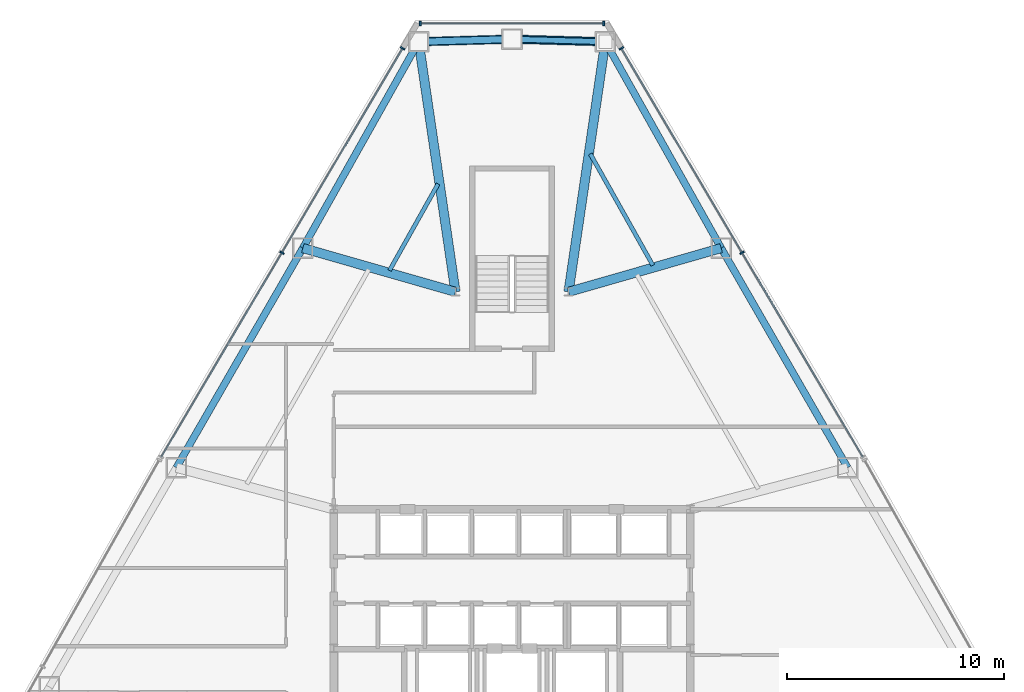
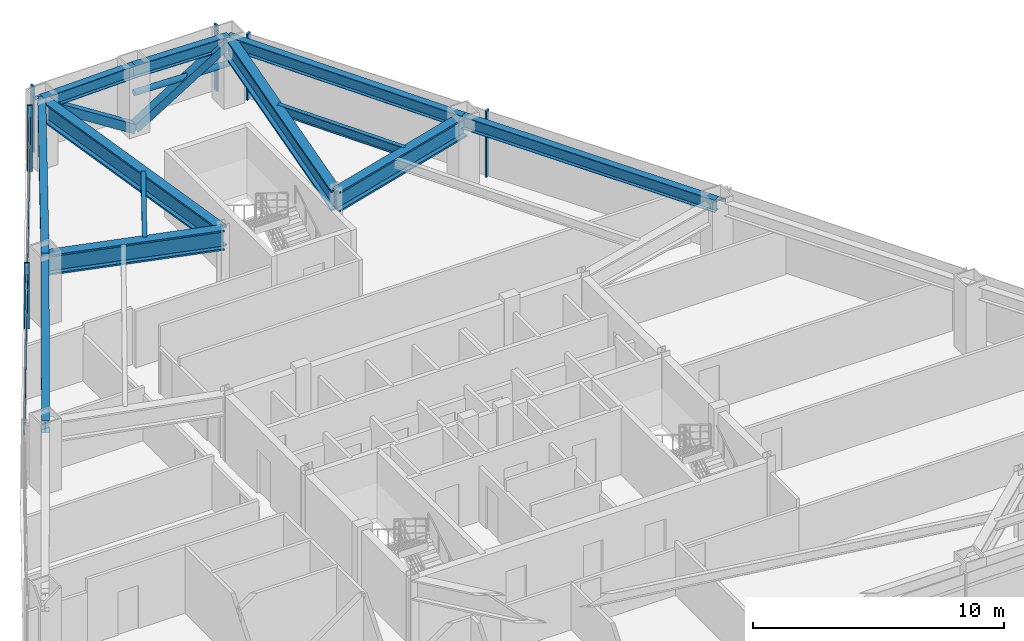
# One storey, part 8 of 13: 12 beams, 12 members, 3 elements without a shape of their own.
"""IFC4 building model written with IfcOpenShell, lengths in metres."""

from ifc_helpers import new_model, si_unit, direction, frame, origin, origin_2d, place, context, subcontext, project, spatial, rectangle, hollow_rectangle, hollow_circle, i_section, extrude, source, transform, mapped, material, layer, layer_set, material_profile, profile_set, type_object, type_shapes, element, aggregate, save


model = new_model("IFC4")

# Units and contexts
model_context = context("Model", 3, precision=1e-05, world=origin(), true_north=direction((0.0, 1.0)))
body_context = subcontext(model_context, "Body", "Model", "MODEL_VIEW")
ifc_project = project(units=[si_unit("LENGTHUNIT", "METRE"), si_unit("AREAUNIT", "SQUARE_METRE"), si_unit("VOLUMEUNIT", "CUBIC_METRE"), si_unit("PLANEANGLEUNIT", "RADIAN"), si_unit("MASSUNIT", "GRAM", prefix="KILO")], contexts=[model_context])

# Site, building, storey
site_placement = place(None, origin())
site = spatial("IfcSite", under=ifc_project, at=site_placement, CompositionType="ELEMENT")
building_placement = place(site_placement, origin())
building = spatial("IfcBuilding", under=site, at=building_placement, Name="Varakhsha Concourse Tower", CompositionType="ELEMENT")
storey_placement = place(building_placement, frame((0.0, 0.0, 116.0)))
storey = spatial("IfcBuildingStorey", under=building, at=storey_placement, Name="L33", CompositionType="ELEMENT", Elevation=116.0)

# Beams
ifc_material_1 = material(Name="Structural Steel ASTM A992 Grade 50", Category="steel")
ifc_material_profile_1 = material_profile(ifc_material_1, i_section(OverallWidth=0.19091796875, OverallDepth=0.45703125, WebThickness=0.009033203125, FlangeThickness=0.013916015625, at=origin_2d()), Name="W18X50")
ifc_profile_set_1 = profile_set([ifc_material_profile_1], Name="Structural Steel ASTM A992 Grade 50")
beam_type_1 = type_object("IfcBeamType", Name="BM-JST-W18X50", PredefinedType="JOIST", material=ifc_profile_set_1)
beam_1_placement = place(storey_placement, frame((36.6015625, 46.166015625, 2.9814453125), z_axis=(-0.489616725191, -0.871937762924, 0.0), x_axis=(0.871937762924, -0.489616725191, 0.0)))
element("IfcBeam", 1, at=beam_1_placement, inside=storey, type_object=beam_type_1, Name="BM-TJST-L33-03", PredefinedType="JOIST", context=body_context, shape_type="SweptSolid", body=[
    extrude(i_section(OverallWidth=0.19091796875, OverallDepth=0.45703125, WebThickness=0.009033203125, FlangeThickness=0.013916015625, at=origin_2d()), origin(), (0.0, 0.0, 1.0), 4.569091796875),
])
beam_2_placement = place(storey_placement, frame((46.477783203125, 42.423828125, 2.9814453125), z_axis=(-0.489617906251, 0.871937099726, 0.0), x_axis=(-0.871937099726, -0.489617906251, 0.0)))
element("IfcBeam", 2, at=beam_2_placement, inside=storey, type_object=beam_type_1, Name="BM-TJST-L33-18", PredefinedType="JOIST", context=body_context, shape_type="SweptSolid", body=[
    extrude(i_section(OverallWidth=0.19091796875, OverallDepth=0.45703125, WebThickness=0.009033203125, FlangeThickness=0.013916015625, at=origin_2d()), origin(), (0.0, 0.0, 1.0), 5.875),
])
ifc_material_profile_2 = material_profile(ifc_material_1, i_section(OverallWidth=0.323974609375, OverallDepth=0.611083984375, WebThickness=0.012939453125, FlangeThickness=0.01904296875, at=origin_2d()), Name="W24X104")
ifc_profile_set_2 = profile_set([ifc_material_profile_2], Name="Structural Steel ASTM A992 Grade 50")
beam_type_2 = type_object("IfcBeamType", Name="BM-SPAN-W24X104", PredefinedType="SPANDREL", material=ifc_profile_set_2)
for number, where, z_axis, x_axis, name in (
    (3, (44.2919921875, 52.7041015625, 2.904541015625), (-0.99960542546, 0.028089026176, 0.0), (-0.028089026176, -0.99960542546, 0.0), "BM-SPAN-L33-01"),
    (4, (40.0, 52.82470703125, 2.904541015625), (-0.99960542546, -0.028089026176, 0.0), (0.028089026176, -0.99960542546, 0.0), "BM-SPAN-L33-02"),
):
    element("IfcBeam", number, at=place(storey_placement, frame(where, z_axis=z_axis, x_axis=x_axis)), inside=storey, type_object=beam_type_2, Name=name, PredefinedType="SPANDREL", context=body_context, shape_type="SweptSolid", body=[
        extrude(i_section(OverallWidth=0.323974609375, OverallDepth=0.611083984375, WebThickness=0.012939453125, FlangeThickness=0.01904296875, at=origin_2d()), origin(), (0.0, 0.0, 1.0), 4.293701171875),
    ])
beam_3_placement = place(storey_placement, frame((35.7080078125, 52.7041015625, 2.904541015625), z_axis=(-0.489631702509, -0.871929352585, 0.0), x_axis=(0.871929352585, -0.489631702509, 0.0)))
element("IfcBeam", 5, at=beam_3_placement, inside=storey, type_object=beam_type_2, Name="BM-SPAN-L33-03", PredefinedType="SPANDREL", context=body_context, shape_type="SweptSolid", body=[
    extrude(i_section(OverallWidth=0.323974609375, OverallDepth=0.611083984375, WebThickness=0.012939453125, FlangeThickness=0.01904296875, at=origin_2d()), origin(), (0.0, 0.0, 1.0), 10.8837890625),
])
for number, where, z_axis, x_axis, name in (
    (6, (30.37890625, 43.214111328125, 2.904541015625), (-0.499036898571, -0.866580737072, 0.0), (0.866580737072, -0.499036898571, 0.0), "BM-SPAN-L33-04"),
    (7, (55.43798828125, 33.113037109375, 2.904541015625), (-0.499036898571, 0.866580737072, 0.0), (-0.866580737072, -0.499036898571, 0.0), "BM-SPAN-L33-17"),
):
    element("IfcBeam", number, at=place(storey_placement, frame(where, z_axis=z_axis, x_axis=x_axis)), inside=storey, type_object=beam_type_2, Name=name, PredefinedType="SPANDREL", context=body_context, shape_type="SweptSolid", body=[
        extrude(i_section(OverallWidth=0.323974609375, OverallDepth=0.611083984375, WebThickness=0.012939453125, FlangeThickness=0.01904296875, at=origin_2d()), origin(), (0.0, 0.0, 1.0), 11.65625),
    ])
beam_4_placement = place(storey_placement, frame((49.62109375, 43.214111328125, 2.904541015625), z_axis=(-0.489631702509, 0.871929352585, 0.0), x_axis=(-0.871929352585, -0.489631702509, 0.0)))
element("IfcBeam", 8, at=beam_4_placement, inside=storey, type_object=beam_type_2, Name="BM-SPAN-L33-18", PredefinedType="SPANDREL", context=body_context, shape_type="SweptSolid", body=[
    extrude(i_section(OverallWidth=0.323974609375, OverallDepth=0.611083984375, WebThickness=0.012939453125, FlangeThickness=0.01904296875, at=origin_2d()), origin(), (0.0, 0.0, 1.0), 10.8837890625),
])
ifc_material_profile_3 = material_profile(ifc_material_1, i_section(OverallWidth=0.427978515625, OverallDepth=0.97509765625, WebThickness=0.050048828125, FlangeThickness=0.0810546875, at=origin_2d()), Name="W36X395")
ifc_profile_set_3 = profile_set([ifc_material_profile_3], Name="Structural Steel ASTM A992 Grade 50")
beam_type_3 = type_object("IfcBeamType", Name="BM-XFER-W36X395", PredefinedType="USERDEFINED", material=ifc_profile_set_3)
for number, where, z_axis, x_axis, name in (
    (9, (42.60009765625, 41.199951171875, 2.722412109375), (0.145503057396, 0.989357801955, 0.0), (-0.989357801955, 0.145503057396, 0.0), "L33 Radial Floor Girder 01"),
    (10, (37.39990234375, 41.199951171875, 2.722412109375), (-0.145503057396, 0.989357801955, 0.0), (-0.989357801955, -0.145503057396, 0.0), "L33 Radial Floor Girder 03"),
):
    element("IfcBeam", number, at=place(storey_placement, frame(where, z_axis=z_axis, x_axis=x_axis)), inside=storey, type_object=beam_type_3, Name=name, ObjectType="GIRDER", PredefinedType="USERDEFINED", context=body_context, shape_type="SweptSolid", body=[
        extrude(i_section(OverallWidth=0.427978515625, OverallDepth=0.97509765625, WebThickness=0.050048828125, FlangeThickness=0.0810546875, at=origin_2d()), origin(), (0.0, 0.0, 1.0), 11.6279296875),
    ])
for number, where, z_axis, x_axis, name in (
    (11, (37.39990234375, 41.199951171875, 2.722412109375), (-0.961228246102, 0.275753982556, 0.0), (-0.275753982556, -0.961228246102, 0.0), "L33 Radial Floor Girder 04"),
    (12, (42.60009765625, 41.199951171875, 2.722412109375), (0.961228246102, 0.275753982556, 0.0), (-0.275753982556, 0.961228246102, 0.0), "L33 Radial Floor Girder 18"),
):
    element("IfcBeam", number, at=place(storey_placement, frame(where, z_axis=z_axis, x_axis=x_axis)), inside=storey, type_object=beam_type_3, Name=name, ObjectType="GIRDER", PredefinedType="USERDEFINED", context=body_context, shape_type="SweptSolid", body=[
        extrude(i_section(OverallWidth=0.427978515625, OverallDepth=0.97509765625, WebThickness=0.050048828125, FlangeThickness=0.0810546875, at=origin_2d()), origin(), (0.0, 0.0, 1.0), 7.30419921875),
    ])

# Members
ifc_material_2 = material(Name="Structural Steel ASTM A500 Grade C", Category="steel")
ifc_material_profile_4 = material_profile(ifc_material_2, hollow_rectangle(XDim=0.39990234375, YDim=0.39990234375, WallThickness=0.01611328125, at=origin_2d()), Name="HSS 400x400x16")
ifc_profile_set_4 = profile_set([ifc_material_profile_4], Name="Structural Steel ASTM A500 Grade C")
member_type_1 = type_object("IfcMemberType", Name="MB-TUBE-HSS400", PredefinedType="BRACE", material=ifc_profile_set_4)
shared_shape_1 = source(origin(), body_context, "Body", "SweptSolid", [
    extrude(hollow_rectangle(XDim=0.39990234375, YDim=0.39990234375, WallThickness=0.01611328125, at=origin_2d()), origin(), (0.0, 0.0, 1.0), 5.120361328125),
])
type_shapes(member_type_1, [shared_shape_1])
for number, where, z_axis, x_axis, name in (
    (13, (40.0, 52.82470703125, 0.1201171875), (0.838211007046, -0.023553824658, 0.54483715458), (0.028089026176, 0.99960542546, 0.0), "L33 Wind-Corner Tube Brace B01"),
    (14, (40.0, 52.82470703125, 0.1201171875), (-0.838211007046, -0.023553824658, 0.54483715458), (0.028089026176, -0.99960542546, 0.0), "L33 Wind-Corner Tube Brace B02"),
):
    element("IfcMember", number, at=place(storey_placement, frame(where, z_axis=z_axis, x_axis=x_axis)), inside=storey, type_object=member_type_1, Name=name, PredefinedType="BRACE", context=body_context, shape_type="MappedRepresentation", body=[
        mapped(shared_shape_1, transform((0.0, 0.0, 0.0), scale=1.0)),
    ])
ifc_material_profile_5 = material_profile(ifc_material_2, hollow_circle(Radius=0.136474609375, WallThickness=0.011962890625, at=origin_2d()), Name="CHS 273x12")
ifc_profile_set_5 = profile_set([ifc_material_profile_5], Name="Structural Steel ASTM A500 Grade C")
member_type_2 = type_object("IfcMemberType", Name="MB-WIND-CHS273", PredefinedType="COLLAR", material=ifc_profile_set_5)
shared_shape_2 = source(origin(), body_context, "Body", "SweptSolid", [
    extrude(hollow_circle(Radius=0.136474609375, WallThickness=0.011962890625, at=origin_2d()), origin(), (0.0, 0.0, 1.0), 4.293701171875),
])
type_shapes(member_type_2, [shared_shape_2])
member_1_placement = place(storey_placement, frame((44.2919921875, 52.7041015625, 1.800048828125), z_axis=(-0.99960542546, 0.028089026176, 0.0), x_axis=(-0.028089026176, -0.99960542546, 0.0)))
element("IfcMember", 15, at=member_1_placement, inside=storey, type_object=member_type_2, Name="L33 Wind-Corner Collar Tie 1", PredefinedType="COLLAR", context=body_context, shape_type="MappedRepresentation", body=[
    mapped(shared_shape_2, transform((0.0, 0.0, 0.0), scale=1.0)),
])

# Curtain wall, members
ifc_material_3 = material(Name="Anodised Bronze Architectural Aluminium AA 6063-T6", Category="aluminium")
ifc_layer = layer(ifc_material_3, 0.2099609375, Name="CW-SYS-04")
ifc_layer_set = layer_set([ifc_layer], Name="Anodised Bronze Architectural Aluminium AA 6063-T6")
curtain_wall_type = type_object("IfcCurtainWallType", Name="CW-SYS-04", PredefinedType="NOTDEFINED", material=ifc_layer_set)
curtain_wall_1_placement = place(storey_placement, origin())
curtain_wall_1 = element("IfcCurtainWall", 16, at=curtain_wall_1_placement, inside=storey, type_object=curtain_wall_type, Name="L33 Chamfer Curtain Wall F1", PredefinedType="NOTDEFINED")
ifc_material_profile_6 = material_profile(ifc_material_3, rectangle(XDim=0.074951171875, YDim=0.219970703125, at=origin_2d()), Name="CWM-220X75")
ifc_profile_set_6 = profile_set([ifc_material_profile_6], Name="Anodised Bronze Architectural Aluminium AA 6063-T6")
member_type_3 = type_object("IfcMemberType", Name="CWM-220X75", PredefinedType="MULLION", material=ifc_profile_set_6)
shared_shape_3 = source(origin(), body_context, "Body", "SweptSolid", [
    extrude(rectangle(XDim=0.074951171875, YDim=0.219970703125, at=origin_2d()), origin(), (0.0, 0.0, 1.0), 3.2099609375),
])
type_shapes(member_type_3, [shared_shape_3])
member_2_placement = place(storey_placement, frame((35.777099609375, 53.544921875, 0.0), z_axis=(0.0, 0.0, 1.0), x_axis=(1.0, 0.0, 0.0)))
member_2 = element("IfcMember", 17, at=member_2_placement, type_object=member_type_3, Name="CW-L33-F1 Mullion 00", PredefinedType="MULLION", context=body_context, shape_type="MappedRepresentation", body=[
    mapped(shared_shape_3, transform((0.0, 0.0, 0.0), scale=1.0)),
])
member_3_placement = place(storey_placement, frame((44.222900390625, 53.544921875, 0.0), z_axis=(0.0, 0.0, 1.0), x_axis=(1.0, 0.0, 0.0)))
member_3 = element("IfcMember", 18, at=member_3_placement, type_object=member_type_3, Name="CW-L33-F1 Mullion 01", PredefinedType="MULLION", context=body_context, shape_type="MappedRepresentation", body=[
    mapped(shared_shape_3, transform((0.0, 0.0, 0.0), scale=1.0)),
])

curtain_wall_2_placement = place(storey_placement, origin())
curtain_wall_2 = element("IfcCurtainWall", 19, at=curtain_wall_2_placement, inside=storey, type_object=curtain_wall_type, Name="L33 Crystal Curtain Wall F2", PredefinedType="NOTDEFINED")
member_4_placement = place(storey_placement, frame((29.418212890625, 43.003662109375, 0.0), z_axis=(0.0, 0.0, 1.0), x_axis=(0.508814554061, 0.860876152287, 0.0)))
member_4 = element("IfcMember", 20, at=member_4_placement, type_object=member_type_3, Name="CW-L33-F2 Mullion 01", PredefinedType="MULLION", context=body_context, shape_type="MappedRepresentation", body=[
    mapped(shared_shape_3, transform((0.0, 0.0, 0.0), scale=1.0)),
])
member_5_placement = place(storey_placement, frame((34.972412109375, 52.40087890625, 0.0), z_axis=(0.0, 0.0, 1.0), x_axis=(0.508814554061, 0.860876152287, 0.0)))
member_5 = element("IfcMember", 21, at=member_5_placement, type_object=member_type_3, Name="CW-L33-F2 Mullion 02", PredefinedType="MULLION", context=body_context, shape_type="MappedRepresentation", body=[
    mapped(shared_shape_3, transform((0.0, 0.0, 0.0), scale=1.0)),
])

curtain_wall_3_placement = place(storey_placement, origin())
curtain_wall_3 = element("IfcCurtainWall", 22, at=curtain_wall_3_placement, inside=storey, type_object=curtain_wall_type, Name="L33 Crystal Curtain Wall F9", PredefinedType="NOTDEFINED")
member_6_placement = place(storey_placement, frame((45.027587890625, 52.40087890625, 0.0), z_axis=(0.0, 0.0, 1.0), x_axis=(0.508814554061, -0.860876152287, 0.0)))
member_6 = element("IfcMember", 23, at=member_6_placement, type_object=member_type_3, Name="CW-L33-F9 Mullion 00", PredefinedType="MULLION", context=body_context, shape_type="MappedRepresentation", body=[
    mapped(shared_shape_3, transform((0.0, 0.0, 0.0), scale=1.0)),
])
member_7_placement = place(storey_placement, frame((50.581787109375, 43.003662109375, 0.0), z_axis=(0.0, 0.0, 1.0), x_axis=(0.508814554061, -0.860876152287, 0.0)))
member_7 = element("IfcMember", 24, at=member_7_placement, type_object=member_type_3, Name="CW-L33-F9 Mullion 01", PredefinedType="MULLION", context=body_context, shape_type="MappedRepresentation", body=[
    mapped(shared_shape_3, transform((0.0, 0.0, 0.0), scale=1.0)),
])

# Member
ifc_material_profile_7 = material_profile(ifc_material_3, rectangle(XDim=0.06494140625, YDim=0.159912109375, at=origin_2d()), Name="CWT-160X65")
ifc_profile_set_7 = profile_set([ifc_material_profile_7], Name="Anodised Bronze Architectural Aluminium AA 6063-T6")
member_type_4 = type_object("IfcMemberType", Name="CWT-160X65", PredefinedType="USERDEFINED", material=ifc_profile_set_7)
shared_shape_4 = source(origin(), body_context, "Body", "SweptSolid", [
    extrude(rectangle(XDim=0.06494140625, YDim=0.159912109375, at=origin_2d()), origin(), (0.0, 0.0, 1.0), 8.44580078125),
])
member_8_placement = place(storey_placement, frame((35.777099609375, 53.544921875, 2.56005859375), z_axis=(1.0, 0.0, 0.0), x_axis=(0.0, 1.0, 0.0)))
member_8 = element("IfcMember", 25, at=member_8_placement, type_object=member_type_4, Name="CW-L33-F1 Transom 01", ObjectType="TRANSOM", PredefinedType="USERDEFINED", context=body_context, shape_type="MappedRepresentation", body=[
    mapped(shared_shape_4, transform((0.0, 0.0, 0.0), scale=1.0)),
])

aggregate(curtain_wall_1, [member_2, member_3, member_8])

shared_shape_5 = source(origin(), body_context, "Body", "SweptSolid", [
    extrude(rectangle(XDim=0.06494140625, YDim=0.159912109375, at=origin_2d()), origin(), (0.0, 0.0, 1.0), 21.831787109375),
])
type_shapes(member_type_4, [shared_shape_4, shared_shape_5])
member_9_placement = place(storey_placement, frame((23.864013671875, 33.6064453125, 2.56005859375), z_axis=(0.508817470351, 0.860874428628, 0.0), x_axis=(-0.860874428628, 0.508817470351, 0.0)))
member_9 = element("IfcMember", 26, at=member_9_placement, type_object=member_type_4, Name="CW-L33-F2 Transom 01", ObjectType="TRANSOM", PredefinedType="USERDEFINED", context=body_context, shape_type="MappedRepresentation", body=[
    mapped(shared_shape_5, transform((0.0, 0.0, 0.0), scale=1.0)),
])

aggregate(curtain_wall_2, [member_4, member_5, member_9])

member_10_placement = place(storey_placement, frame((45.027587890625, 52.40087890625, 2.56005859375), z_axis=(0.508817470351, -0.860874428628, 0.0), x_axis=(0.860874428628, 0.508817470351, 0.0)))
member_10 = element("IfcMember", 27, at=member_10_placement, type_object=member_type_4, Name="CW-L33-F9 Transom 01", ObjectType="TRANSOM", PredefinedType="USERDEFINED", context=body_context, shape_type="MappedRepresentation", body=[
    mapped(shared_shape_5, transform((0.0, 0.0, 0.0), scale=1.0)),
])

aggregate(curtain_wall_3, [member_6, member_7, member_10])

save(model, "model.ifc")
